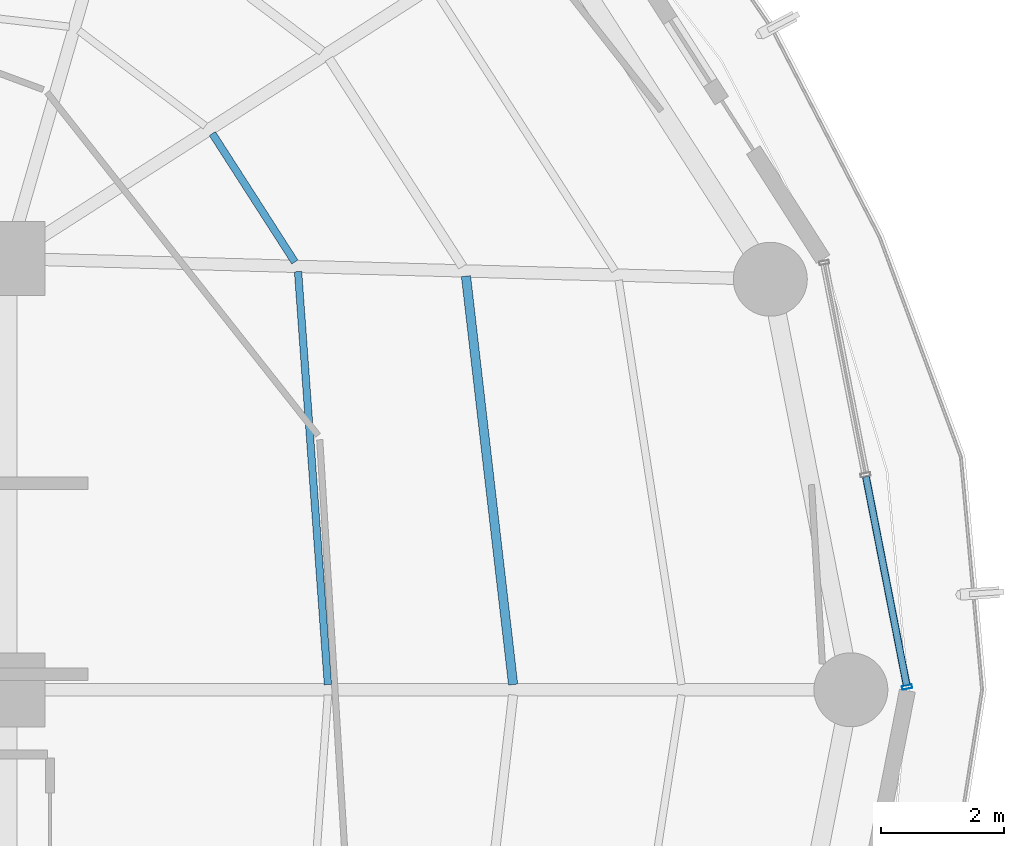
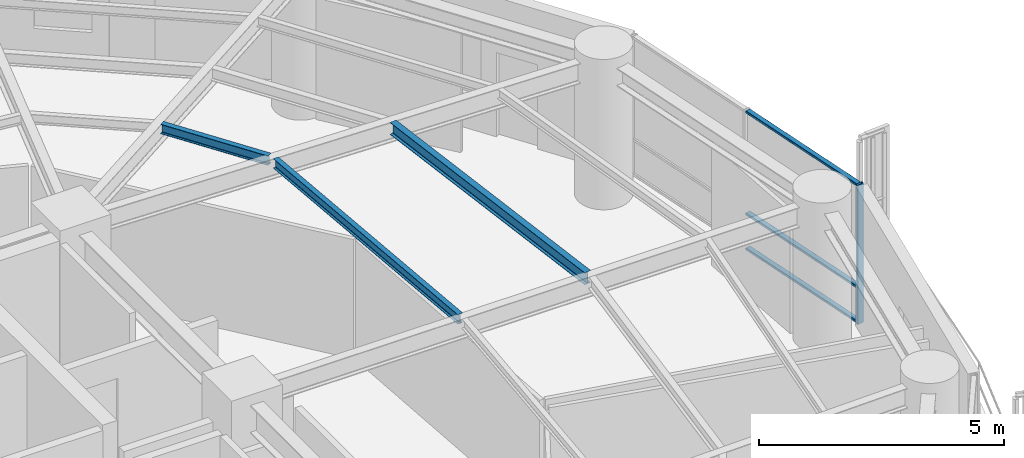
# One storey, part 13 of 27: 4 members, 3 beams, 1 element without a shape of its own.
"""IFC4 building model written with IfcOpenShell, lengths in metres."""

import ifcopenshell
import ifcopenshell.guid

model = None  # the IFC model being written
_history = None  # IfcOwnerHistory: only IFC2X3 demands one
_inside = {}  # id of a spatial element -> (the spatial element, [elements in it])
_under = {}  # id of a project, library or spatial element -> (it, [spatial elements below it])
_declared = {}  # id of a project -> (the project, [libraries it declares])
_typed = {}  # id of a type object -> (the type object, [elements of that type])
_made_of = {}  # id of a material, layer set ... -> (it, [elements and type objects made of it])


def new_model(schema):
    """Start an empty IFC model of exactly this schema.

    Asked for "IFC4X3", IfcOpenShell would pick the latest addendum, in which some entities
    have other attributes; the version numbers below select the first issue.
    IFC2X3 requires an IfcOwnerHistory on every rooted entity: one is made here for all.
    """
    global model, _history
    if schema == "IFC4X3":
        model = ifcopenshell.file(schema_version=(4, 3, 0, 0))
    else:
        model = ifcopenshell.file(schema=schema)
    _inside.clear()
    _under.clear()
    _declared.clear()
    _typed.clear()
    _made_of.clear()
    _history = None
    if model.schema == "IFC2X3":
        org = make("IfcOrganization", Name="unknown")
        user = make(
            "IfcPersonAndOrganization",
            ThePerson=make("IfcPerson", FamilyName="unknown"),
            TheOrganization=org,
        )
        app = make(
            "IfcApplication",
            ApplicationDeveloper=org,
            Version="unknown",
            ApplicationFullName="unknown",
            ApplicationIdentifier="unknown",
        )
        _history = make(
            "IfcOwnerHistory",
            OwningUser=user,
            OwningApplication=app,
            ChangeAction="ADDED",
            CreationDate=0,
        )
    return model


def make(cls, **values):
    """One entity of the class cls with the attributes given. An attribute that is None is left unset."""
    return model.create_entity(
        cls, **{name: value for name, value in values.items() if value is not None}
    )


def rooted(cls, **values):
    """An entity with a GlobalId (a new one), such as an element, a storey or a relation."""
    return make(cls, GlobalId=ifcopenshell.guid.new(), OwnerHistory=_history, **values)


def si_unit(unit_type, name, prefix=None):
    """IfcSIUnit, for example si_unit("LENGTHUNIT", "METRE", prefix="MILLI")."""
    return make("IfcSIUnit", UnitType=unit_type, Prefix=prefix, Name=name)


def assignment(units):
    """IfcUnitAssignment: the units of a project."""
    return None if units is None else make("IfcUnitAssignment", Units=units)


def point(xyz):
    """IfcCartesianPoint."""
    return None if xyz is None else make("IfcCartesianPoint", Coordinates=xyz)


def direction(xyz):
    """IfcDirection."""
    return None if xyz is None else make("IfcDirection", DirectionRatios=xyz)


def frame(location, z_axis=None, x_axis=None):
    """IfcAxis2Placement3D, a coordinate frame: its origin and axes. An axis left out is left unset."""
    return make(
        "IfcAxis2Placement3D",
        Location=point(location),
        Axis=direction(z_axis),
        RefDirection=direction(x_axis),
    )


def frame_2d(location, x_axis=None):
    """IfcAxis2Placement2D, a coordinate frame in the plane: its origin and x axis."""
    return make(
        "IfcAxis2Placement2D", Location=point(location), RefDirection=direction(x_axis)
    )


def origin():
    """The frame at (0, 0, 0) with its axes left unset."""
    return frame((0.0, 0.0, 0.0))


def origin_2d():
    """The frame at (0, 0) in the plane with its x axis left unset."""
    return frame_2d((0.0, 0.0))


def place(relative_to, where):
    """IfcLocalPlacement: puts the frame where relative to a parent placement (None: the world)."""
    return make(
        "IfcLocalPlacement", PlacementRelTo=relative_to, RelativePlacement=where
    )


def context(
    kind, dimensions, precision=None, world=None, true_north=None, identifier=None
):
    """IfcGeometricRepresentationContext, for example the 3D "Model" context."""
    return make(
        "IfcGeometricRepresentationContext",
        ContextIdentifier=identifier,
        ContextType=kind,
        CoordinateSpaceDimension=dimensions,
        Precision=precision,
        WorldCoordinateSystem=world,
        TrueNorth=true_north,
    )


def subcontext(parent, identifier, kind, view, scale=None):
    """IfcGeometricRepresentationSubContext, for example "Body" below "Model"."""
    return make(
        "IfcGeometricRepresentationSubContext",
        ContextIdentifier=identifier,
        ContextType=kind,
        ParentContext=parent,
        TargetScale=scale,
        TargetView=view,
    )


def project(units=None, contexts=None):
    """IfcProject with its units and contexts."""
    return rooted(
        "IfcProject",
        Name="project",
        RepresentationContexts=contexts,
        UnitsInContext=assignment(units),
    )


def spatial(cls, under=None, at=None, **own):
    """A site, building, storey or space (cls), placed at a placement, below another one or the project."""
    s = rooted(cls, ObjectPlacement=at, **own)
    if under is not None:
        _under.setdefault(under.id(), (under, []))[1].append(s)
    return s


def profile(cls, at=None, kind="AREA", **sizes):
    """A parametric profile (cls). Its sizes go by their IFC names, for example OverallWidth=200.0."""
    return make(cls, ProfileType=kind, Position=at, **sizes)


def hollow_rectangle(**sizes):
    """IfcRectangleHollowProfileDef."""
    return profile("IfcRectangleHollowProfileDef", **sizes)


def i_section(**sizes):
    """IfcIShapeProfileDef."""
    return profile("IfcIShapeProfileDef", **sizes)


def extrude(swept, where, along, depth):
    """IfcExtrudedAreaSolid: the profile swept, set in the frame where, extruded along a direction by depth."""
    return make(
        "IfcExtrudedAreaSolid",
        SweptArea=swept,
        Position=where,
        ExtrudedDirection=direction(along),
        Depth=depth,
    )


def shape(context_of_items, identifier, shape_type, items):
    """IfcShapeRepresentation: the items that make up one representation, for example the "Body"."""
    return make(
        "IfcShapeRepresentation",
        ContextOfItems=context_of_items,
        RepresentationIdentifier=identifier,
        RepresentationType=shape_type,
        Items=items,
    )


def material(Name=None, Category=None):
    """IfcMaterial."""
    return make("IfcMaterial", Name=Name, Category=Category)


def layer(
    of_material, thickness, ventilated=None, Name=None, Category=None, Priority=None
):
    """IfcMaterialLayer: one layer of a wall or slab, of a material (None: an air gap)."""
    return make(
        "IfcMaterialLayer",
        Material=of_material,
        LayerThickness=thickness,
        IsVentilated=ventilated,
        Name=Name,
        Category=Category,
        Priority=Priority,
    )


def layer_set(layers, Name=None):
    """IfcMaterialLayerSet."""
    return make("IfcMaterialLayerSet", MaterialLayers=layers, LayerSetName=Name)


def material_profile(
    of_material, cross_section, Name=None, Category=None, Priority=None
):
    """IfcMaterialProfile: a cross section and its material."""
    return make(
        "IfcMaterialProfile",
        Name=Name,
        Material=of_material,
        Profile=cross_section,
        Priority=Priority,
        Category=Category,
    )


def profile_set(profiles, Name=None, composite=None):
    """IfcMaterialProfileSet."""
    return make(
        "IfcMaterialProfileSet",
        Name=Name,
        MaterialProfiles=profiles,
        CompositeProfile=composite,
    )


def made_of(thing, what):
    """Note that an element or type object is made of a material, layer set ...; save() writes the relation."""
    if what is not None:
        _made_of.setdefault(what.id(), (what, []))[1].append(thing)
    return thing


def type_object(cls, material=None, **own):
    """A type object (cls), such as IfcWallType, which elements share."""
    return made_of(rooted(cls, **own), material)


def element(
    cls,
    number,
    at=None,
    inside=None,
    cuts=None,
    type_object=None,
    material=None,
    context=None,
    identifier="Body",
    shape_type=None,
    held_by="IfcProductDefinitionShape",
    body=None,
    shapes=None,
    **own,
):
    """One element of the class cls, such as IfcWall. Its Tag is "e" and its number.

    at: its placement. inside: the storey or other place that contains it. cuts: it is an
    opening in that element (IfcRelVoidsElement). A single representation is given by context,
    identifier, shape_type and body (its items); several are given by shapes. held_by: the class
    of the entity that holds the representations. save() writes the other relations.
    """
    e = rooted(cls, Tag="e%d" % number, ObjectPlacement=at, **own)
    if body is not None:
        shapes = [shape(context, identifier, shape_type, body)]
    if shapes is not None:
        e.Representation = make(held_by, Representations=shapes)
    if inside is not None:
        _inside.setdefault(inside.id(), (inside, []))[1].append(e)
    if cuts is not None:
        rooted(
            "IfcRelVoidsElement", RelatingBuildingElement=cuts, RelatedOpeningElement=e
        )
    if type_object is not None:
        _typed.setdefault(type_object.id(), (type_object, []))[1].append(e)
    return made_of(e, material)


def aggregate(whole, parts):
    """IfcRelAggregates: a whole, such as a stair, and the parts it consists of."""
    return rooted("IfcRelAggregates", RelatingObject=whole, RelatedObjects=parts)


def save(model, path):
    """Write the relations noted so far, then the file.

    IfcRelAggregates (storeys below a building ...), IfcRelContainedInSpatialStructure (elements
    in a storey), IfcRelDefinesByType, IfcRelAssociatesMaterial and IfcRelDeclares: one each for
    every whole, place, type object, material and project.
    """
    for whole, parts in _under.values():
        aggregate(whole, parts)
    for where, things in _inside.values():
        rooted(
            "IfcRelContainedInSpatialStructure",
            RelatedElements=things,
            RelatingStructure=where,
        )
    for kind, things in _typed.values():
        rooted("IfcRelDefinesByType", RelatedObjects=things, RelatingType=kind)
    for what, things in _made_of.values():
        rooted("IfcRelAssociatesMaterial", RelatedObjects=things, RelatingMaterial=what)
    for by, libraries in _declared.values():
        rooted("IfcRelDeclares", RelatingContext=by, RelatedDefinitions=libraries)
    model.write(path)


model = new_model("IFC4")

# Units and contexts
model_context = context("Model", 3, precision=1e-05, world=origin(), true_north=direction((0.0, 1.0)))
body_context = subcontext(model_context, "Body", "Model", "MODEL_VIEW")
ifc_project = project(units=[si_unit("LENGTHUNIT", "METRE"), si_unit("AREAUNIT", "SQUARE_METRE"), si_unit("VOLUMEUNIT", "CUBIC_METRE"), si_unit("PLANEANGLEUNIT", "RADIAN"), si_unit("MASSUNIT", "GRAM", prefix="KILO")], contexts=[model_context])

# Site, building, storey
site_placement = place(None, origin())
site = spatial("IfcSite", under=ifc_project, at=site_placement, CompositionType="ELEMENT")
building_placement = place(site_placement, origin())
building = spatial("IfcBuilding", under=site, at=building_placement, Name="Kelanora Arch Commons", CompositionType="ELEMENT")
storey_placement = place(building_placement, frame((0.0, 0.0, 154.35009765625)))
storey = spatial("IfcBuildingStorey", under=building, at=storey_placement, Name="L39", CompositionType="ELEMENT", Elevation=154.35009765625)

# Beams
ifc_material_1 = material(Name="Steel S355", Category="steel")
ifc_material_profile_1 = material_profile(ifc_material_1, i_section(OverallWidth=0.14990234375, OverallDepth=0.300048828125, WebThickness=0.007080078125, FlangeThickness=0.0107421875, FilletRadius=0.014892578125, at=origin_2d()), Name="IPE300")
ifc_profile_set_1 = profile_set([ifc_material_profile_1], Name="Steel S355")
beam_type_1 = type_object("IfcBeamType", Name="BM-JST-01", PredefinedType="JOIST", material=ifc_profile_set_1)
beam_1_placement = place(storey_placement, frame((90.1982421875, 58.08447265625, 3.33984375), z_axis=(-0.114667159005, 0.9934039675, 0.0), x_axis=(-0.9934039675, -0.114667159005, 0.0)))
element("IfcBeam", 1, at=beam_1_placement, inside=storey, type_object=beam_type_1, Name="Secondary Chord Joist BJB-00 L39", PredefinedType="JOIST", context=body_context, shape_type="SweptSolid", body=[
    extrude(i_section(OverallWidth=0.14990234375, OverallDepth=0.300048828125, WebThickness=0.007080078125, FlangeThickness=0.0107421875, FilletRadius=0.014892578125, at=origin_2d()), origin(), (0.0, 0.0, 1.0), 6.672607421875),
])
ifc_material_profile_2 = material_profile(ifc_material_1, i_section(OverallWidth=0.1201171875, OverallDepth=0.239990234375, WebThickness=0.006103515625, FlangeThickness=0.009765625, FilletRadius=0.014892578125, at=origin_2d()), Name="IPE240")
ifc_profile_set_2 = profile_set([ifc_material_profile_2], Name="Steel S355")
beam_type_2 = type_object("IfcBeamType", Name="BM-JST-02", PredefinedType="JOIST", material=ifc_profile_set_2)
beam_2_placement = place(storey_placement, frame((87.1923828125, 58.084716796875, 3.369873046875), z_axis=(-0.072117123738, 0.997396170267, 0.0), x_axis=(-0.997396170267, -0.072117123738, 0.0)))
element("IfcBeam", 2, at=beam_2_placement, inside=storey, type_object=beam_type_2, Name="Secondary Chord Joist BJA-00 L39", PredefinedType="JOIST", context=body_context, shape_type="SweptSolid", body=[
    extrude(i_section(OverallWidth=0.1201171875, OverallDepth=0.239990234375, WebThickness=0.006103515625, FlangeThickness=0.009765625, FilletRadius=0.014892578125, at=origin_2d()), origin(), (0.0, 0.0, 1.0), 6.719970703125),
])
beam_3_placement = place(storey_placement, frame((86.655517578125, 64.943359375, 3.369873046875), z_axis=(-0.540583174025, 0.841290575224, 0.0), x_axis=(-0.841290575224, -0.540583174025, 0.0)))
element("IfcBeam", 3, at=beam_3_placement, inside=storey, type_object=beam_type_2, Name="Secondary Chord Joist BJA-02 L39", PredefinedType="JOIST", context=body_context, shape_type="SweptSolid", body=[
    extrude(i_section(OverallWidth=0.1201171875, OverallDepth=0.239990234375, WebThickness=0.006103515625, FlangeThickness=0.009765625, FilletRadius=0.014892578125, at=origin_2d()), origin(), (0.0, 0.0, 1.0), 2.476318359375),
])

# Curtain wall, members
ifc_material_2 = material(Name="Terracotta ceramic-fritted low-E glass and aluminium", Category="masonry")
ifc_layer = layer(ifc_material_2, 0.175048828125)
ifc_layer_set = layer_set([ifc_layer], Name="Terracotta ceramic-fritted low-E glass and aluminium")
curtain_wall_type = type_object("IfcCurtainWallType", Name="CW-SYS-02", PredefinedType="NOTDEFINED", material=ifc_layer_set)
curtain_wall_placement = place(storey_placement, origin())
curtain_wall = element("IfcCurtainWall", 4, at=curtain_wall_placement, inside=storey, type_object=curtain_wall_type, Name="Unitised Curtain Wall L39-B00", PredefinedType="NOTDEFINED")
ifc_material_3 = material(Name="Powder-coated aluminium terracotta", Category="masonry")
ifc_material_profile_3 = material_profile(ifc_material_3, hollow_rectangle(XDim=0.159912109375, YDim=0.06005859375, WallThickness=0.0048828125, InnerFilletRadius=0.0048828125, OuterFilletRadius=0.010009765625, at=origin_2d()), Name="CWM160x60")
ifc_profile_set_3 = profile_set([ifc_material_profile_3], Name="Powder-coated aluminium terracotta")
member_type_1 = type_object("IfcMemberType", Name="CWM-STD", PredefinedType="MULLION", material=ifc_profile_set_3)
member_1_placement = place(storey_placement, frame((96.59130859375, 58.044189453125, 0.0), z_axis=(0.0, 0.0, 1.0), x_axis=(-0.981452557718, -0.191705182375, 0.0)))
member_1 = element("IfcMember", 5, at=member_1_placement, type_object=member_type_1, Name="CW-02 mullion 1", PredefinedType="MULLION", context=body_context, shape_type="SweptSolid", body=[
    extrude(hollow_rectangle(XDim=0.159912109375, YDim=0.06005859375, WallThickness=0.0048828125, InnerFilletRadius=0.0048828125, OuterFilletRadius=0.010009765625, at=origin_2d()), origin(), (0.0, 0.0, 1.0), 3.474853515625),
])
ifc_material_profile_4 = material_profile(ifc_material_3, hollow_rectangle(XDim=0.1201171875, YDim=0.06005859375, WallThickness=0.0048828125, InnerFilletRadius=0.0048828125, OuterFilletRadius=0.010009765625, at=origin_2d()), Name="CWT120x60")
ifc_profile_set_4 = profile_set([ifc_material_profile_4], Name="Powder-coated aluminium terracotta")
member_type_2 = type_object("IfcMemberType", Name="CWT-STD", PredefinedType="USERDEFINED", material=ifc_profile_set_4)
member_2_placement = place(storey_placement, frame((96.585693359375, 58.073486328125, 0.02978515625), z_axis=(-0.191718206447, 0.981450013662, 0.0), x_axis=(-0.981450013662, -0.191718206447, 0.0)))
member_2 = element("IfcMember", 6, at=member_2_placement, type_object=member_type_2, Name="CW-02 transom 1.1", ObjectType="TRANSOM", PredefinedType="USERDEFINED", context=body_context, shape_type="SweptSolid", body=[
    extrude(hollow_rectangle(XDim=0.1201171875, YDim=0.06005859375, WallThickness=0.0048828125, InnerFilletRadius=0.0048828125, OuterFilletRadius=0.010009765625, at=origin_2d()), origin(), (0.0, 0.0, 1.0), 3.44970703125),
])
member_3_placement = place(storey_placement, frame((96.585693359375, 58.073486328125, 0.89990234375), z_axis=(-0.191718206447, 0.981450013662, 0.0), x_axis=(-0.981450013662, -0.191718206447, 0.0)))
member_3 = element("IfcMember", 7, at=member_3_placement, type_object=member_type_2, Name="CW-02 transom 1.2", ObjectType="TRANSOM", PredefinedType="USERDEFINED", context=body_context, shape_type="SweptSolid", body=[
    extrude(hollow_rectangle(XDim=0.1201171875, YDim=0.06005859375, WallThickness=0.0048828125, InnerFilletRadius=0.0048828125, OuterFilletRadius=0.010009765625, at=origin_2d()), origin(), (0.0, 0.0, 1.0), 3.44970703125),
])
member_4_placement = place(storey_placement, frame((96.585693359375, 58.073486328125, 3.44482421875), z_axis=(-0.191718206447, 0.981450013662, 0.0), x_axis=(-0.981450013662, -0.191718206447, 0.0)))
member_4 = element("IfcMember", 8, at=member_4_placement, type_object=member_type_2, Name="CW-02 transom 1.3", ObjectType="TRANSOM", PredefinedType="USERDEFINED", context=body_context, shape_type="SweptSolid", body=[
    extrude(hollow_rectangle(XDim=0.1201171875, YDim=0.06005859375, WallThickness=0.0048828125, InnerFilletRadius=0.0048828125, OuterFilletRadius=0.010009765625, at=origin_2d()), origin(), (0.0, 0.0, 1.0), 3.44970703125),
])
aggregate(curtain_wall, [member_1, member_2, member_3, member_4])

save(model, "model.ifc")
